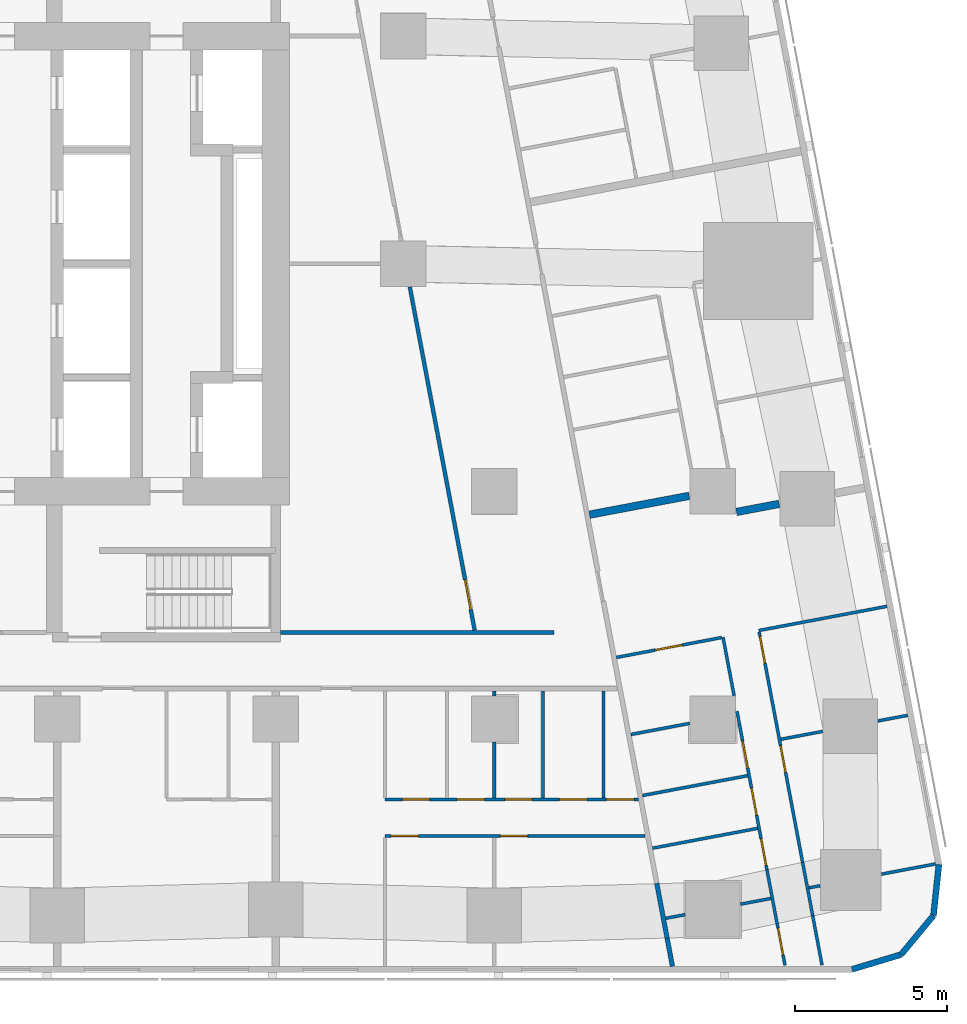
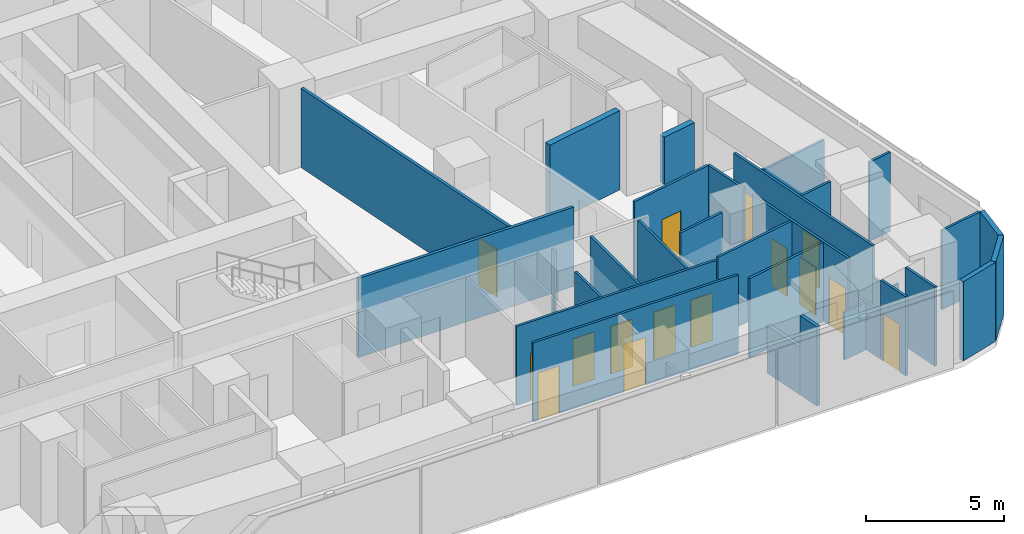
# One storey, part 6 of 15: 33 walls, 15 doors, 15 openings.
"""IFC4 building model written with IfcOpenShell, lengths in metres."""

import ifcopenshell
import ifcopenshell.guid

model = None  # the IFC model being written
_history = None  # IfcOwnerHistory: only IFC2X3 demands one
_inside = {}  # id of a spatial element -> (the spatial element, [elements in it])
_under = {}  # id of a project, library or spatial element -> (it, [spatial elements below it])
_declared = {}  # id of a project -> (the project, [libraries it declares])
_typed = {}  # id of a type object -> (the type object, [elements of that type])
_made_of = {}  # id of a material, layer set ... -> (it, [elements and type objects made of it])


def new_model(schema):
    """Start an empty IFC model of exactly this schema.

    Asked for "IFC4X3", IfcOpenShell would pick the latest addendum, in which some entities
    have other attributes; the version numbers below select the first issue.
    IFC2X3 requires an IfcOwnerHistory on every rooted entity: one is made here for all.
    """
    global model, _history
    if schema == "IFC4X3":
        model = ifcopenshell.file(schema_version=(4, 3, 0, 0))
    else:
        model = ifcopenshell.file(schema=schema)
    _inside.clear()
    _under.clear()
    _declared.clear()
    _typed.clear()
    _made_of.clear()
    _history = None
    if model.schema == "IFC2X3":
        org = make("IfcOrganization", Name="unknown")
        user = make(
            "IfcPersonAndOrganization",
            ThePerson=make("IfcPerson", FamilyName="unknown"),
            TheOrganization=org,
        )
        app = make(
            "IfcApplication",
            ApplicationDeveloper=org,
            Version="unknown",
            ApplicationFullName="unknown",
            ApplicationIdentifier="unknown",
        )
        _history = make(
            "IfcOwnerHistory",
            OwningUser=user,
            OwningApplication=app,
            ChangeAction="ADDED",
            CreationDate=0,
        )
    return model


def make(cls, **values):
    """One entity of the class cls with the attributes given. An attribute that is None is left unset."""
    return model.create_entity(
        cls, **{name: value for name, value in values.items() if value is not None}
    )


def rooted(cls, **values):
    """An entity with a GlobalId (a new one), such as an element, a storey or a relation."""
    return make(cls, GlobalId=ifcopenshell.guid.new(), OwnerHistory=_history, **values)


def si_unit(unit_type, name, prefix=None):
    """IfcSIUnit, for example si_unit("LENGTHUNIT", "METRE", prefix="MILLI")."""
    return make("IfcSIUnit", UnitType=unit_type, Prefix=prefix, Name=name)


def assignment(units):
    """IfcUnitAssignment: the units of a project."""
    return None if units is None else make("IfcUnitAssignment", Units=units)


def point(xyz):
    """IfcCartesianPoint."""
    return None if xyz is None else make("IfcCartesianPoint", Coordinates=xyz)


def direction(xyz):
    """IfcDirection."""
    return None if xyz is None else make("IfcDirection", DirectionRatios=xyz)


def frame(location, z_axis=None, x_axis=None):
    """IfcAxis2Placement3D, a coordinate frame: its origin and axes. An axis left out is left unset."""
    return make(
        "IfcAxis2Placement3D",
        Location=point(location),
        Axis=direction(z_axis),
        RefDirection=direction(x_axis),
    )


def frame_2d(location, x_axis=None):
    """IfcAxis2Placement2D, a coordinate frame in the plane: its origin and x axis."""
    return make(
        "IfcAxis2Placement2D", Location=point(location), RefDirection=direction(x_axis)
    )


def origin():
    """The frame at (0, 0, 0) with its axes left unset."""
    return frame((0.0, 0.0, 0.0))


def place(relative_to, where):
    """IfcLocalPlacement: puts the frame where relative to a parent placement (None: the world)."""
    return make(
        "IfcLocalPlacement", PlacementRelTo=relative_to, RelativePlacement=where
    )


def context(
    kind, dimensions, precision=None, world=None, true_north=None, identifier=None
):
    """IfcGeometricRepresentationContext, for example the 3D "Model" context."""
    return make(
        "IfcGeometricRepresentationContext",
        ContextIdentifier=identifier,
        ContextType=kind,
        CoordinateSpaceDimension=dimensions,
        Precision=precision,
        WorldCoordinateSystem=world,
        TrueNorth=true_north,
    )


def subcontext(parent, identifier, kind, view, scale=None):
    """IfcGeometricRepresentationSubContext, for example "Body" below "Model"."""
    return make(
        "IfcGeometricRepresentationSubContext",
        ContextIdentifier=identifier,
        ContextType=kind,
        ParentContext=parent,
        TargetScale=scale,
        TargetView=view,
    )


def project(units=None, contexts=None):
    """IfcProject with its units and contexts."""
    return rooted(
        "IfcProject",
        Name="project",
        RepresentationContexts=contexts,
        UnitsInContext=assignment(units),
    )


def spatial(cls, under=None, at=None, **own):
    """A site, building, storey or space (cls), placed at a placement, below another one or the project."""
    s = rooted(cls, ObjectPlacement=at, **own)
    if under is not None:
        _under.setdefault(under.id(), (under, []))[1].append(s)
    return s


def profile(cls, at=None, kind="AREA", **sizes):
    """A parametric profile (cls). Its sizes go by their IFC names, for example OverallWidth=200.0."""
    return make(cls, ProfileType=kind, Position=at, **sizes)


def rectangle(**sizes):
    """IfcRectangleProfileDef."""
    return profile("IfcRectangleProfileDef", **sizes)


def extrude(swept, where, along, depth):
    """IfcExtrudedAreaSolid: the profile swept, set in the frame where, extruded along a direction by depth."""
    return make(
        "IfcExtrudedAreaSolid",
        SweptArea=swept,
        Position=where,
        ExtrudedDirection=direction(along),
        Depth=depth,
    )


def shape(context_of_items, identifier, shape_type, items):
    """IfcShapeRepresentation: the items that make up one representation, for example the "Body"."""
    return make(
        "IfcShapeRepresentation",
        ContextOfItems=context_of_items,
        RepresentationIdentifier=identifier,
        RepresentationType=shape_type,
        Items=items,
    )


def material(Name=None, Category=None):
    """IfcMaterial."""
    return make("IfcMaterial", Name=Name, Category=Category)


def layer(
    of_material, thickness, ventilated=None, Name=None, Category=None, Priority=None
):
    """IfcMaterialLayer: one layer of a wall or slab, of a material (None: an air gap)."""
    return make(
        "IfcMaterialLayer",
        Material=of_material,
        LayerThickness=thickness,
        IsVentilated=ventilated,
        Name=Name,
        Category=Category,
        Priority=Priority,
    )


def layer_set(layers, Name=None):
    """IfcMaterialLayerSet."""
    return make("IfcMaterialLayerSet", MaterialLayers=layers, LayerSetName=Name)


def made_of(thing, what):
    """Note that an element or type object is made of a material, layer set ...; save() writes the relation."""
    if what is not None:
        _made_of.setdefault(what.id(), (what, []))[1].append(thing)
    return thing


def type_object(cls, material=None, **own):
    """A type object (cls), such as IfcWallType, which elements share."""
    return made_of(rooted(cls, **own), material)


def element(
    cls,
    number,
    at=None,
    inside=None,
    cuts=None,
    type_object=None,
    material=None,
    context=None,
    identifier="Body",
    shape_type=None,
    held_by="IfcProductDefinitionShape",
    body=None,
    shapes=None,
    **own,
):
    """One element of the class cls, such as IfcWall. Its Tag is "e" and its number.

    at: its placement. inside: the storey or other place that contains it. cuts: it is an
    opening in that element (IfcRelVoidsElement). A single representation is given by context,
    identifier, shape_type and body (its items); several are given by shapes. held_by: the class
    of the entity that holds the representations. save() writes the other relations.
    """
    e = rooted(cls, Tag="e%d" % number, ObjectPlacement=at, **own)
    if body is not None:
        shapes = [shape(context, identifier, shape_type, body)]
    if shapes is not None:
        e.Representation = make(held_by, Representations=shapes)
    if inside is not None:
        _inside.setdefault(inside.id(), (inside, []))[1].append(e)
    if cuts is not None:
        rooted(
            "IfcRelVoidsElement", RelatingBuildingElement=cuts, RelatedOpeningElement=e
        )
    if type_object is not None:
        _typed.setdefault(type_object.id(), (type_object, []))[1].append(e)
    return made_of(e, material)


def fill(opening, filler):
    """IfcRelFillsElement: the door or window that sits in an opening."""
    return rooted(
        "IfcRelFillsElement",
        RelatingOpeningElement=opening,
        RelatedBuildingElement=filler,
    )


def aggregate(whole, parts):
    """IfcRelAggregates: a whole, such as a stair, and the parts it consists of."""
    return rooted("IfcRelAggregates", RelatingObject=whole, RelatedObjects=parts)


def save(model, path):
    """Write the relations noted so far, then the file.

    IfcRelAggregates (storeys below a building ...), IfcRelContainedInSpatialStructure (elements
    in a storey), IfcRelDefinesByType, IfcRelAssociatesMaterial and IfcRelDeclares: one each for
    every whole, place, type object, material and project.
    """
    for whole, parts in _under.values():
        aggregate(whole, parts)
    for where, things in _inside.values():
        rooted(
            "IfcRelContainedInSpatialStructure",
            RelatedElements=things,
            RelatingStructure=where,
        )
    for kind, things in _typed.values():
        rooted("IfcRelDefinesByType", RelatedObjects=things, RelatingType=kind)
    for what, things in _made_of.values():
        rooted("IfcRelAssociatesMaterial", RelatedObjects=things, RelatingMaterial=what)
    for by, libraries in _declared.values():
        rooted("IfcRelDeclares", RelatingContext=by, RelatedDefinitions=libraries)
    model.write(path)


model = new_model("IFC4")

# Units and contexts
model_context = context("Model", 3, precision=1e-05, world=origin(), true_north=direction((0.0, 1.0)))
body_context = subcontext(model_context, "Body", "Model", "MODEL_VIEW")
ifc_project = project(units=[si_unit("LENGTHUNIT", "METRE"), si_unit("AREAUNIT", "SQUARE_METRE"), si_unit("VOLUMEUNIT", "CUBIC_METRE"), si_unit("PLANEANGLEUNIT", "RADIAN"), si_unit("MASSUNIT", "GRAM", prefix="KILO")], contexts=[model_context])

# Site, building, storey
site_placement = place(None, origin())
site = spatial("IfcSite", under=ifc_project, at=site_placement, CompositionType="ELEMENT")
building_placement = place(site_placement, origin())
building = spatial("IfcBuilding", under=site, at=building_placement, Name="Sheger Commons Tower", CompositionType="ELEMENT")
storey_placement = place(building_placement, frame((0.0, 0.0, 180.800048828125)))
storey = spatial("IfcBuildingStorey", under=building, at=storey_placement, Name="L46", CompositionType="ELEMENT", Elevation=180.800048828125)

# Walls
ifc_material_1 = material(Name="Hollow concrete block masonry, skimmed both sides", Category="masonry")
ifc_layer_1 = layer(ifc_material_1, 0.14990234375)
ifc_layer_set_1 = layer_set([ifc_layer_1], Name="CORRIDOR WALL 150")
wall_type_1 = type_object("IfcWallType", Name="CORRIDOR WALL 150", PredefinedType="SOLIDWALL", material=ifc_layer_set_1)
wall_1_placement = place(storey_placement, frame((41.35498046875, 2.0859375, 0.0), z_axis=(0.0, 0.0, 1.0), x_axis=(0.185708872674, -0.982604811005, 0.0)))
element("IfcWall", 1, at=wall_1_placement, inside=storey, type_object=wall_type_1, Name="Corridor wall L46", PredefinedType="SOLIDWALL", context=body_context, shape_type="SweptSolid", body=[
    extrude(rectangle(XDim=1.84716796875, YDim=0.14990234375, at=frame_2d((0.923583984375, 0.0))), origin(), (0.0, 0.0, 1.0), 2.099853515625),
])
wall_2_placement = place(storey_placement, frame((41.697998046875, 0.27099609375, 0.0), z_axis=(0.0, 0.0, 1.0), x_axis=(0.185735329995, -0.982599810295, 0.0)))
element("IfcWall", 2, at=wall_2_placement, inside=storey, type_object=wall_type_1, Name="Corridor wall L46", PredefinedType="SOLIDWALL", context=body_context, shape_type="SweptSolid", body=[
    extrude(rectangle(XDim=0.937255859375, YDim=0.14990234375, at=frame_2d((0.46875, 0.0))), origin(), (0.0, 0.0, 1.0), 3.5),
])
ifc_material_2 = material(Name="Dense concrete block masonry, plastered both sides (separating wall between flats)", Category="masonry")
ifc_layer_2 = layer(ifc_material_2, 0.25)
ifc_layer_set_2 = layer_set([ifc_layer_2], Name="DEMISING WALL 250")
wall_type_2 = type_object("IfcWallType", Name="DEMISING WALL 250", PredefinedType="SOLIDWALL", material=ifc_layer_set_2)
wall_3_placement = place(storey_placement, frame((45.389892578125, 14.587890625, 0.0), z_axis=(0.0, 0.0, 1.0), x_axis=(-0.982680951688, -0.18530555089, 0.0)))
element("IfcWall", 3, at=wall_3_placement, inside=storey, type_object=wall_type_2, Name="Demising wall L46", PredefinedType="SOLIDWALL", context=body_context, shape_type="SweptSolid", body=[
    extrude(rectangle(XDim=1.434814453125, YDim=0.25, at=frame_2d((0.71728515625, 0.0))), origin(), (0.0, 0.0, 1.0), 2.099853515625),
])
wall_4_placement = place(storey_placement, frame((42.426025390625, 14.85302734375, 0.0), z_axis=(0.0, 0.0, 1.0), x_axis=(-0.982633560103, -0.185556693654, 0.0)))
element("IfcWall", 4, at=wall_4_placement, inside=storey, type_object=wall_type_2, Name="Demising wall L46", PredefinedType="SOLIDWALL", context=body_context, shape_type="SweptSolid", body=[
    extrude(rectangle(XDim=3.34716796875, YDim=0.25, at=frame_2d((1.673583984375, 0.0))), origin(), (0.0, 0.0, 1.0), 3.5),
])
ifc_material_3 = material(Name="Rendered concrete block masonry, dark grey", Category="masonry")
ifc_layer_3 = layer(ifc_material_3, 0.199951171875)
ifc_layer_set_3 = layer_set([ifc_layer_3], Name="FACADE WALL 200")
wall_type_3 = type_object("IfcWallType", Name="FACADE WALL 200", PredefinedType="SOLIDWALL", material=ifc_layer_set_3)
wall_5_placement = place(storey_placement, frame((47.791015625, -0.75, 0.0), z_axis=(0.0, 0.0, 1.0), x_axis=(0.957455232626, 0.288581838509, 0.0)))
element("IfcWall", 5, at=wall_5_placement, inside=storey, type_object=wall_type_3, Name="Facade wall L46", PredefinedType="SOLIDWALL", context=body_context, shape_type="SweptSolid", body=[
    extrude(rectangle(XDim=1.687744140625, YDim=0.199951171875, at=frame_2d((0.84375, 0.0))), origin(), (0.0, 0.0, 1.0), 3.5),
])
wall_6_placement = place(storey_placement, frame((49.406982421875, -0.262939453125, 0.0), z_axis=(0.0, 0.0, 1.0), x_axis=(0.638042593423, 0.770001070764, 0.0)))
element("IfcWall", 6, at=wall_6_placement, inside=storey, type_object=wall_type_3, Name="Facade wall L46", PredefinedType="SOLIDWALL", context=body_context, shape_type="SweptSolid", body=[
    extrude(rectangle(XDim=1.672607421875, YDim=0.199951171875, at=frame_2d((0.83642578125, 0.0))), origin(), (0.0, 0.0, 1.0), 3.5),
])
wall_7_placement = place(storey_placement, frame((50.47412109375, 1.02490234375, 0.0), z_axis=(0.0, 0.0, 1.0), x_axis=(0.106047815515, 0.994361031429, 0.0)))
element("IfcWall", 7, at=wall_7_placement, inside=storey, type_object=wall_type_3, Name="Facade wall L46", PredefinedType="SOLIDWALL", context=body_context, shape_type="SweptSolid", body=[
    extrude(rectangle(XDim=1.6875, YDim=0.199951171875, at=frame_2d((0.84375, 0.0))), origin(), (0.0, 0.0, 1.0), 3.5),
])

# Wall, openings, doors
ifc_material_4 = material(Name="Gypsum board on steel studs", Category="steel")
ifc_layer_4 = layer(ifc_material_4, 0.10009765625)
ifc_layer_set_4 = layer_set([ifc_layer_4], Name="PARTITION 100")
wall_type_4 = type_object("IfcWallType", Name="PARTITION 100", PredefinedType="PARTITIONING", material=ifc_layer_set_4)
wall_8_placement = place(storey_placement, frame((40.97412109375, 3.64990234375, 0.0), z_axis=(0.0, 0.0, 1.0), x_axis=(-1.0, 0.0, 0.0)))
wall_8 = element("IfcWall", 8, at=wall_8_placement, inside=storey, type_object=wall_type_4, Name="Partition L46", PredefinedType="PARTITIONING", context=body_context, shape_type="SweptSolid", body=[
    extrude(rectangle(XDim=8.57421875, YDim=0.10009765625, at=frame_2d((4.287109375, 0.0))), origin(), (0.0, 0.0, 1.0), 3.5),
])
opening_1_placement = place(wall_8_placement, frame((7.47412109375, 0.0, 0.0)))
opening_1 = element("IfcOpeningElement", 9, at=opening_1_placement, cuts=wall_8, Name="Opening D2", PredefinedType="OPENING", context=body_context, shape_type="SweptSolid", body=[
    extrude(rectangle(XDim=0.89990234375, YDim=2.10009765625, at=frame_2d((0.449951171875, 1.050048828125))), frame((0.0, 0.06005859375, 0.0), z_axis=(0.0, -1.0, 0.0), x_axis=(1.0, 0.0, 0.0)), (0.0, 0.0, 1.0), 0.1201171875),
])
opening_2_placement = place(wall_8_placement, frame((3.8740234375, 0.0, 0.0)))
opening_2 = element("IfcOpeningElement", 10, at=opening_2_placement, cuts=wall_8, Name="Opening D2", PredefinedType="OPENING", context=body_context, shape_type="SweptSolid", body=[
    extrude(rectangle(XDim=0.89990234375, YDim=2.10009765625, at=frame_2d((0.449951171875, 1.050048828125))), frame((0.0, 0.06005859375, 0.0), z_axis=(0.0, -1.0, 0.0), x_axis=(1.0, 0.0, 0.0)), (0.0, 0.0, 1.0), 0.1201171875),
])
ifc_material_5 = material(Name="Timber door set", Category="wood")
door_type_1 = type_object("IfcDoorType", Name="INTERNAL DOOR 900x2100", OperationType="NOTDEFINED", PredefinedType="DOOR", material=ifc_material_5)
door_1_placement = place(opening_1_placement, origin())
door_1 = element("IfcDoor", 11, at=door_1_placement, inside=storey, type_object=door_type_1, Name="Main bedroom door", OperationType="SINGLE_SWING_RIGHT", OverallHeight=2.10009765625, OverallWidth=0.89990234375, PredefinedType="DOOR", context=body_context, shape_type="SweptSolid", body=[
    extrude(rectangle(XDim=0.89990234375, YDim=2.10009765625, at=frame_2d((0.449951171875, 1.050048828125))), frame((0.0, 0.02490234375, 0.0), z_axis=(0.0, -1.0, 0.0), x_axis=(1.0, 0.0, 0.0)), (0.0, 0.0, 1.0), 0.050048828125),
])
fill(opening_1, door_1)
door_2_placement = place(opening_2_placement, origin())
door_2 = element("IfcDoor", 12, at=door_2_placement, inside=storey, type_object=door_type_1, Name="Bedroom 2 door", OperationType="SINGLE_SWING_RIGHT", OverallHeight=2.10009765625, OverallWidth=0.89990234375, PredefinedType="DOOR", context=body_context, shape_type="SweptSolid", body=[
    extrude(rectangle(XDim=0.89990234375, YDim=2.10009765625, at=frame_2d((0.449951171875, 1.050048828125))), frame((0.0, 0.02490234375, 0.0), z_axis=(0.0, -1.0, 0.0), x_axis=(1.0, 0.0, 0.0)), (0.0, 0.0, 1.0), 0.050048828125),
])
fill(opening_2, door_2)

wall_9_placement = place(storey_placement, frame((40.7470703125, 4.85009765625, 0.0), z_axis=(0.0, 0.0, 1.0), x_axis=(-1.0, 0.0, 0.0)))
wall_9 = element("IfcWall", 13, at=wall_9_placement, inside=storey, type_object=wall_type_4, Name="Partition L46", PredefinedType="PARTITIONING", context=body_context, shape_type="SweptSolid", body=[
    extrude(rectangle(XDim=8.34716796875, YDim=0.10009765625, at=frame_2d((4.173583984375, 0.0))), origin(), (0.0, 0.0, 1.0), 3.5),
])
opening_3_placement = place(wall_9_placement, frame((6.8720703125, 0.0, 0.0)))
opening_3 = element("IfcOpeningElement", 14, at=opening_3_placement, cuts=wall_9, Name="Opening D2", PredefinedType="OPENING", context=body_context, shape_type="SweptSolid", body=[
    extrude(rectangle(XDim=0.89990234375, YDim=2.10009765625, at=frame_2d((0.449951171875, 1.050048828125))), frame((0.0, 0.06005859375, 0.0), z_axis=(0.0, -1.0, 0.0), x_axis=(1.0, 0.0, 0.0)), (0.0, 0.0, 1.0), 0.1201171875),
])
opening_4_placement = place(wall_9_placement, frame((3.4970703125, 0.0, 0.0)))
opening_4 = element("IfcOpeningElement", 15, at=opening_4_placement, cuts=wall_9, Name="Opening D2", PredefinedType="OPENING", context=body_context, shape_type="SweptSolid", body=[
    extrude(rectangle(XDim=0.89990234375, YDim=2.10009765625, at=frame_2d((0.449951171875, 1.050048828125))), frame((0.0, 0.06005859375, 0.0), z_axis=(0.0, -1.0, 0.0), x_axis=(1.0, 0.0, 0.0)), (0.0, 0.0, 1.0), 0.1201171875),
])
opening_5_placement = place(wall_9_placement, frame((0.14990234375, 0.0, 0.0)))
opening_5 = element("IfcOpeningElement", 16, at=opening_5_placement, cuts=wall_9, Name="Opening D2", PredefinedType="OPENING", context=body_context, shape_type="SweptSolid", body=[
    extrude(rectangle(XDim=0.89990234375, YDim=2.10009765625, at=frame_2d((0.449951171875, 1.050048828125))), frame((0.0, 0.06005859375, 0.0), z_axis=(0.0, -1.0, 0.0), x_axis=(1.0, 0.0, 0.0)), (0.0, 0.0, 1.0), 0.1201171875),
])
opening_6_placement = place(wall_9_placement, frame((5.072021484375, 0.0, 0.0)))
opening_6 = element("IfcOpeningElement", 17, at=opening_6_placement, cuts=wall_9, Name="Opening D2", PredefinedType="OPENING", context=body_context, shape_type="SweptSolid", body=[
    extrude(rectangle(XDim=0.89990234375, YDim=2.10009765625, at=frame_2d((0.449951171875, 1.050048828125))), frame((0.0, 0.06005859375, 0.0), z_axis=(0.0, -1.0, 0.0), x_axis=(1.0, 0.0, 0.0)), (0.0, 0.0, 1.0), 0.1201171875),
])
opening_7_placement = place(wall_9_placement, frame((1.697021484375, 0.0, 0.0)))
opening_7 = element("IfcOpeningElement", 18, at=opening_7_placement, cuts=wall_9, Name="Opening D2", PredefinedType="OPENING", context=body_context, shape_type="SweptSolid", body=[
    extrude(rectangle(XDim=0.89990234375, YDim=2.10009765625, at=frame_2d((0.449951171875, 1.050048828125))), frame((0.0, 0.06005859375, 0.0), z_axis=(0.0, -1.0, 0.0), x_axis=(1.0, 0.0, 0.0)), (0.0, 0.0, 1.0), 0.1201171875),
])
door_3_placement = place(opening_3_placement, origin())
door_3 = element("IfcDoor", 19, at=door_3_placement, inside=storey, type_object=door_type_1, Name="Bathroom door", OperationType="SINGLE_SWING_LEFT", OverallHeight=2.10009765625, OverallWidth=0.89990234375, PredefinedType="DOOR", context=body_context, shape_type="SweptSolid", body=[
    extrude(rectangle(XDim=0.89990234375, YDim=2.10009765625, at=frame_2d((0.449951171875, 1.050048828125))), frame((0.0, 0.02490234375, 0.0), z_axis=(0.0, -1.0, 0.0), x_axis=(1.0, 0.0, 0.0)), (0.0, 0.0, 1.0), 0.050048828125),
])
fill(opening_3, door_3)
door_4_placement = place(opening_4_placement, origin())
door_4 = element("IfcDoor", 20, at=door_4_placement, inside=storey, type_object=door_type_1, Name="Shower room door", OperationType="SINGLE_SWING_LEFT", OverallHeight=2.10009765625, OverallWidth=0.89990234375, PredefinedType="DOOR", context=body_context, shape_type="SweptSolid", body=[
    extrude(rectangle(XDim=0.89990234375, YDim=2.10009765625, at=frame_2d((0.449951171875, 1.050048828125))), frame((0.0, 0.02490234375, 0.0), z_axis=(0.0, -1.0, 0.0), x_axis=(1.0, 0.0, 0.0)), (0.0, 0.0, 1.0), 0.050048828125),
])
fill(opening_4, door_4)
door_5_placement = place(opening_5_placement, origin())
door_5 = element("IfcDoor", 21, at=door_5_placement, inside=storey, type_object=door_type_1, Name="Laundry room door", OperationType="SINGLE_SWING_RIGHT", OverallHeight=2.10009765625, OverallWidth=0.89990234375, PredefinedType="DOOR", context=body_context, shape_type="SweptSolid", body=[
    extrude(rectangle(XDim=0.89990234375, YDim=2.10009765625, at=frame_2d((0.449951171875, 1.050048828125))), frame((0.0, 0.02490234375, 0.0), z_axis=(0.0, -1.0, 0.0), x_axis=(1.0, 0.0, 0.0)), (0.0, 0.0, 1.0), 0.050048828125),
])
fill(opening_5, door_5)
door_6_placement = place(opening_6_placement, origin())
door_6 = element("IfcDoor", 22, at=door_6_placement, inside=storey, type_object=door_type_1, Name="Store door", OperationType="SINGLE_SWING_RIGHT", OverallHeight=2.10009765625, OverallWidth=0.89990234375, PredefinedType="DOOR", context=body_context, shape_type="SweptSolid", body=[
    extrude(rectangle(XDim=0.89990234375, YDim=2.10009765625, at=frame_2d((0.449951171875, 1.050048828125))), frame((0.0, 0.02490234375, 0.0), z_axis=(0.0, -1.0, 0.0), x_axis=(1.0, 0.0, 0.0)), (0.0, 0.0, 1.0), 0.050048828125),
])
fill(opening_6, door_6)
door_7_placement = place(opening_7_placement, origin())
door_7 = element("IfcDoor", 23, at=door_7_placement, inside=storey, type_object=door_type_1, Name="Store door", OperationType="SINGLE_SWING_RIGHT", OverallHeight=2.10009765625, OverallWidth=0.89990234375, PredefinedType="DOOR", context=body_context, shape_type="SweptSolid", body=[
    extrude(rectangle(XDim=0.89990234375, YDim=2.10009765625, at=frame_2d((0.449951171875, 1.050048828125))), frame((0.0, 0.02490234375, 0.0), z_axis=(0.0, -1.0, 0.0), x_axis=(1.0, 0.0, 0.0)), (0.0, 0.0, 1.0), 0.050048828125),
])
fill(opening_7, door_7)

# Walls
wall_10_placement = place(storey_placement, frame((36.0, 4.89990234375, 0.0), z_axis=(0.0, 0.0, 1.0), x_axis=(0.0, 1.0, 0.0)))
element("IfcWall", 24, at=wall_10_placement, inside=storey, type_object=wall_type_4, Name="Partition L46", PredefinedType="PARTITIONING", context=body_context, shape_type="SweptSolid", body=[
    extrude(rectangle(XDim=1.84912109375, YDim=0.10009765625, at=frame_2d((0.924560546875, 0.0))), origin(), (0.0, 0.0, 1.0), 3.5),
])
wall_11_placement = place(storey_placement, frame((36.0, 8.2509765625, 0.0), z_axis=(0.0, 0.0, 1.0), x_axis=(0.0, 1.0, 0.0)))
element("IfcWall", 25, at=wall_11_placement, inside=storey, type_object=wall_type_4, Name="Partition L46", PredefinedType="PARTITIONING", context=body_context, shape_type="SweptSolid", body=[
    extrude(rectangle(XDim=0.174072265625, YDim=0.10009765625, at=frame_2d((0.0869140625, 0.0))), origin(), (0.0, 0.0, 1.0), 3.5),
])
for number, where, z_axis, x_axis, name in (
    (26, (39.60009765625, 4.89990234375, 0.0), (0.0, 0.0, 1.0), (0.0, 1.0, 0.0), "Partition L46"),
    (27, (37.60009765625, 4.89990234375, 0.0), (0.0, 0.0, 1.0), (0.0, 1.0, 0.0), "Partition L46"),
):
    element("IfcWall", number, at=place(storey_placement, frame(where, z_axis=z_axis, x_axis=x_axis)), inside=storey, type_object=wall_type_4, Name=name, PredefinedType="PARTITIONING", context=body_context, shape_type="SweptSolid", body=[
        extrude(rectangle(XDim=3.525146484375, YDim=0.10009765625, at=frame_2d((1.7626953125, 0.0))), origin(), (0.0, 0.0, 1.0), 3.5),
    ])

# Wall, openings, doors
wall_12_placement = place(storey_placement, frame((44.72705078125, 10.365966796875, 0.0), z_axis=(0.0, 0.0, 1.0), x_axis=(0.185578957652, -0.982629355595, 0.0)))
wall_12 = element("IfcWall", 28, at=wall_12_placement, inside=storey, type_object=wall_type_4, Name="Partition L46", PredefinedType="PARTITIONING", context=body_context, shape_type="SweptSolid", body=[
    extrude(rectangle(XDim=7.720947265625, YDim=0.10009765625, at=frame_2d((3.8603515625, 0.0))), origin(), (0.0, 0.0, 1.0), 3.5),
])
opening_8_placement = place(wall_12_placement, frame((0.15087890625, 0.0, 0.0)))
opening_8 = element("IfcOpeningElement", 29, at=opening_8_placement, cuts=wall_12, Name="Opening D2", PredefinedType="OPENING", context=body_context, shape_type="SweptSolid", body=[
    extrude(rectangle(XDim=0.89990234375, YDim=2.10009765625, at=frame_2d((0.449951171875, 1.050048828125))), frame((0.0, 0.06005859375, 0.0), z_axis=(0.0, -1.0, 0.0), x_axis=(1.0, 0.0, 0.0)), (0.0, 0.0, 1.0), 0.1201171875),
])
opening_9_placement = place(wall_12_placement, frame((3.805908203125, 0.0, 0.0)))
opening_9 = element("IfcOpeningElement", 30, at=opening_9_placement, cuts=wall_12, Name="Opening D2", PredefinedType="OPENING", context=body_context, shape_type="SweptSolid", body=[
    extrude(rectangle(XDim=0.89990234375, YDim=2.10009765625, at=frame_2d((0.449951171875, 1.050048828125))), frame((0.0, 0.06005859375, 0.0), z_axis=(0.0, -1.0, 0.0), x_axis=(1.0, 0.0, 0.0)), (0.0, 0.0, 1.0), 0.1201171875),
])
door_8_placement = place(opening_8_placement, origin())
door_8 = element("IfcDoor", 31, at=door_8_placement, inside=storey, type_object=door_type_1, Name="Main bedroom door", OperationType="SINGLE_SWING_LEFT", OverallHeight=2.10009765625, OverallWidth=0.89990234375, PredefinedType="DOOR", context=body_context, shape_type="SweptSolid", body=[
    extrude(rectangle(XDim=0.89990234375, YDim=2.10009765625, at=frame_2d((0.449951171875, 1.050048828125))), frame((0.0, 0.02490234375, 0.0), z_axis=(0.0, -1.0, 0.0), x_axis=(1.0, 0.0, 0.0)), (0.0, 0.0, 1.0), 0.050048828125),
])
fill(opening_8, door_8)
door_9_placement = place(opening_9_placement, origin())
door_9 = element("IfcDoor", 32, at=door_9_placement, inside=storey, type_object=door_type_1, Name="Bedroom 2 door", OperationType="SINGLE_SWING_LEFT", OverallHeight=2.10009765625, OverallWidth=0.89990234375, PredefinedType="DOOR", context=body_context, shape_type="SweptSolid", body=[
    extrude(rectangle(XDim=0.89990234375, YDim=2.10009765625, at=frame_2d((0.449951171875, 1.050048828125))), frame((0.0, 0.02490234375, 0.0), z_axis=(0.0, -1.0, 0.0), x_axis=(1.0, 0.0, 0.0)), (0.0, 0.0, 1.0), 0.050048828125),
])
fill(opening_9, door_9)

# Walls
wall_13_placement = place(storey_placement, frame((46.159912109375, 2.779052734375, 0.0), z_axis=(0.0, 0.0, 1.0), x_axis=(0.18597295662, -0.982554863306, 0.0)))
element("IfcWall", 33, at=wall_13_placement, inside=storey, type_object=wall_type_4, Name="Partition L46", PredefinedType="PARTITIONING", context=body_context, shape_type="SweptSolid", body=[
    extrude(rectangle(XDim=1.802490234375, YDim=0.10009765625, at=frame_2d((0.9013671875, 0.0))), origin(), (0.0, 0.0, 1.0), 2.099853515625),
])
wall_14_placement = place(storey_placement, frame((46.4951171875, 1.008056640625, 0.0), z_axis=(0.0, 0.0, 1.0), x_axis=(0.185535059532, -0.982637645159, 0.0)))
element("IfcWall", 34, at=wall_14_placement, inside=storey, type_object=wall_type_4, Name="Partition L46", PredefinedType="PARTITIONING", context=body_context, shape_type="SweptSolid", body=[
    extrude(rectangle(XDim=1.6435546875, YDim=0.10009765625, at=frame_2d((0.82177734375, 0.0))), origin(), (0.0, 0.0, 1.0), 3.5),
])
wall_15_placement = place(storey_placement, frame((43.5390625, 10.19189453125, 0.0), z_axis=(0.0, 0.0, 1.0), x_axis=(0.18564540894, -0.982616803306, 0.0)))
element("IfcWall", 35, at=wall_15_placement, inside=storey, type_object=wall_type_4, Name="Partition L46", PredefinedType="PARTITIONING", context=body_context, shape_type="SweptSolid", body=[
    extrude(rectangle(XDim=1.966064453125, YDim=0.10009765625, at=frame_2d((0.98291015625, 0.0))), origin(), (0.0, 0.0, 1.0), 3.5),
])

# Wall, openings, doors
wall_16_placement = place(storey_placement, frame((43.9990234375, 7.7548828125, 0.0), z_axis=(0.0, 0.0, 1.0), x_axis=(0.185565904578, -0.982631820703, 0.0)))
wall_16 = element("IfcWall", 36, at=wall_16_placement, inside=storey, type_object=wall_type_4, Name="Partition L46", PredefinedType="PARTITIONING", context=body_context, shape_type="SweptSolid", body=[
    extrude(rectangle(XDim=5.319091796875, YDim=0.10009765625, at=frame_2d((2.65966796875, 0.0))), origin(), (0.0, 0.0, 1.0), 3.5),
])
opening_10_placement = place(wall_16_placement, frame((1.0, 0.0, 0.0)))
opening_10 = element("IfcOpeningElement", 37, at=opening_10_placement, cuts=wall_16, Name="Opening D2", PredefinedType="OPENING", context=body_context, shape_type="SweptSolid", body=[
    extrude(rectangle(XDim=0.89990234375, YDim=2.10009765625, at=frame_2d((0.449951171875, 1.050048828125))), frame((0.0, 0.06005859375, 0.0), z_axis=(0.0, -1.0, 0.0), x_axis=(1.0, 0.0, 0.0)), (0.0, 0.0, 1.0), 0.1201171875),
])
opening_11_placement = place(wall_16_placement, frame((4.26904296875, 0.0, 0.0)))
opening_11 = element("IfcOpeningElement", 38, at=opening_11_placement, cuts=wall_16, Name="Opening D2", PredefinedType="OPENING", context=body_context, shape_type="SweptSolid", body=[
    extrude(rectangle(XDim=0.89990234375, YDim=2.10009765625, at=frame_2d((0.449951171875, 1.050048828125))), frame((0.0, 0.06005859375, 0.0), z_axis=(0.0, -1.0, 0.0), x_axis=(1.0, 0.0, 0.0)), (0.0, 0.0, 1.0), 0.1201171875),
])
opening_12_placement = place(wall_16_placement, frame((2.5849609375, 0.0, 0.0)))
opening_12 = element("IfcOpeningElement", 39, at=opening_12_placement, cuts=wall_16, Name="Opening D2", PredefinedType="OPENING", context=body_context, shape_type="SweptSolid", body=[
    extrude(rectangle(XDim=0.89990234375, YDim=2.10009765625, at=frame_2d((0.449951171875, 1.050048828125))), frame((0.0, 0.06005859375, 0.0), z_axis=(0.0, -1.0, 0.0), x_axis=(1.0, 0.0, 0.0)), (0.0, 0.0, 1.0), 0.1201171875),
])
door_10_placement = place(opening_10_placement, origin())
door_10 = element("IfcDoor", 40, at=door_10_placement, inside=storey, type_object=door_type_1, Name="Bathroom door", OperationType="SINGLE_SWING_LEFT", OverallHeight=2.10009765625, OverallWidth=0.89990234375, PredefinedType="DOOR", context=body_context, shape_type="SweptSolid", body=[
    extrude(rectangle(XDim=0.89990234375, YDim=2.10009765625, at=frame_2d((0.449951171875, 1.050048828125))), frame((0.0, 0.02490234375, 0.0), z_axis=(0.0, -1.0, 0.0), x_axis=(1.0, 0.0, 0.0)), (0.0, 0.0, 1.0), 0.050048828125),
])
fill(opening_10, door_10)
door_11_placement = place(opening_11_placement, origin())
door_11 = element("IfcDoor", 41, at=door_11_placement, inside=storey, type_object=door_type_1, Name="Laundry room door", OperationType="SINGLE_SWING_LEFT", OverallHeight=2.10009765625, OverallWidth=0.89990234375, PredefinedType="DOOR", context=body_context, shape_type="SweptSolid", body=[
    extrude(rectangle(XDim=0.89990234375, YDim=2.10009765625, at=frame_2d((0.449951171875, 1.050048828125))), frame((0.0, 0.02490234375, 0.0), z_axis=(0.0, -1.0, 0.0), x_axis=(1.0, 0.0, 0.0)), (0.0, 0.0, 1.0), 0.050048828125),
])
fill(opening_11, door_11)
door_12_placement = place(opening_12_placement, origin())
door_12 = element("IfcDoor", 42, at=door_12_placement, inside=storey, type_object=door_type_1, Name="Store door", OperationType="SINGLE_SWING_RIGHT", OverallHeight=2.10009765625, OverallWidth=0.89990234375, PredefinedType="DOOR", context=body_context, shape_type="SweptSolid", body=[
    extrude(rectangle(XDim=0.89990234375, YDim=2.10009765625, at=frame_2d((0.449951171875, 1.050048828125))), frame((0.0, 0.02490234375, 0.0), z_axis=(0.0, -1.0, 0.0), x_axis=(1.0, 0.0, 0.0)), (0.0, 0.0, 1.0), 0.050048828125),
])
fill(opening_12, door_12)

# Wall
wall_17_placement = place(storey_placement, frame((44.986083984375, 2.528076171875, 0.0), z_axis=(0.0, 0.0, 1.0), x_axis=(0.18584218627, -0.982579605835, 0.0)))
element("IfcWall", 43, at=wall_17_placement, inside=storey, type_object=wall_type_4, Name="Partition L46", PredefinedType="PARTITIONING", context=body_context, shape_type="SweptSolid", body=[
    extrude(rectangle(XDim=1.802490234375, YDim=0.10009765625, at=frame_2d((0.9013671875, 0.0))), origin(), (0.0, 0.0, 1.0), 2.099853515625),
])

# Wall, opening, door
wall_18_placement = place(storey_placement, frame((45.321044921875, 0.757080078125, 0.0), z_axis=(0.0, 0.0, 1.0), x_axis=(0.185640562635, -0.982617718904, 0.0)))
wall_18 = element("IfcWall", 44, at=wall_18_placement, inside=storey, type_object=wall_type_4, Name="Partition L46", PredefinedType="PARTITIONING", context=body_context, shape_type="SweptSolid", body=[
    extrude(rectangle(XDim=1.395263671875, YDim=0.10009765625, at=frame_2d((0.69775390625, 0.0))), origin(), (0.0, 0.0, 1.0), 3.5),
])
opening_13_placement = place(wall_18_placement, frame((0.14990234375, 0.0, 0.0)))
opening_13 = element("IfcOpeningElement", 45, at=opening_13_placement, cuts=wall_18, Name="Opening D2", PredefinedType="OPENING", context=body_context, shape_type="SweptSolid", body=[
    extrude(rectangle(XDim=0.89990234375, YDim=2.10009765625, at=frame_2d((0.449951171875, 1.050048828125))), frame((0.0, 0.06005859375, 0.0), z_axis=(0.0, -1.0, 0.0), x_axis=(1.0, 0.0, 0.0)), (0.0, 0.0, 1.0), 0.1201171875),
])
door_13_placement = place(opening_13_placement, origin())
door_13 = element("IfcDoor", 46, at=door_13_placement, inside=storey, type_object=door_type_1, Name="Laundry room door", OperationType="SINGLE_SWING_RIGHT", OverallHeight=2.10009765625, OverallWidth=0.89990234375, PredefinedType="DOOR", context=body_context, shape_type="SweptSolid", body=[
    extrude(rectangle(XDim=0.89990234375, YDim=2.10009765625, at=frame_2d((0.449951171875, 1.050048828125))), frame((0.0, 0.02490234375, 0.0), z_axis=(0.0, -1.0, 0.0), x_axis=(1.0, 0.0, 0.0)), (0.0, 0.0, 1.0), 0.050048828125),
])
fill(opening_13, door_13)

# Walls
wall_19_placement = place(storey_placement, frame((48.943115234375, 11.212890625, 0.0), z_axis=(0.0, 0.0, 1.0), x_axis=(-0.982633535512, -0.185556823879, 0.0)))
element("IfcWall", 47, at=wall_19_placement, inside=storey, type_object=wall_type_4, Name="Partition L46", PredefinedType="PARTITIONING", context=body_context, shape_type="SweptSolid", body=[
    extrude(rectangle(XDim=4.2998046875, YDim=0.10009765625, at=frame_2d((2.14990234375, 0.0))), origin(), (0.0, 0.0, 1.0), 2.099853515625),
])
wall_20_placement = place(storey_placement, frame((49.6220703125, 7.6201171875, 0.0), z_axis=(0.0, 0.0, 1.0), x_axis=(-0.982708646087, -0.185158626332, 0.0)))
element("IfcWall", 48, at=wall_20_placement, inside=storey, type_object=wall_type_4, Name="Partition L46", PredefinedType="PARTITIONING", context=body_context, shape_type="SweptSolid", body=[
    extrude(rectangle(XDim=0.99951171875, YDim=0.10009765625, at=frame_2d((0.499755859375, 0.0))), origin(), (0.0, 0.0, 1.0), 3.5),
])
wall_21_placement = place(storey_placement, frame((46.820068359375, 7.091064453125, 0.0), z_axis=(0.0, 0.0, 1.0), x_axis=(-0.982689853246, -0.185258339427, 0.0)))
element("IfcWall", 49, at=wall_21_placement, inside=storey, type_object=wall_type_4, Name="Partition L46", PredefinedType="PARTITIONING", context=body_context, shape_type="SweptSolid", body=[
    extrude(rectangle(XDim=1.398193359375, YDim=0.10009765625, at=frame_2d((0.69921875, 0.0))), origin(), (0.0, 0.0, 1.0), 3.5),
])
wall_22_placement = place(storey_placement, frame((50.547119140625, 2.72607421875, 0.0), z_axis=(0.0, 0.0, 1.0), x_axis=(-0.982603988143, -0.185713226471, 0.0)))
element("IfcWall", 50, at=wall_22_placement, inside=storey, type_object=wall_type_4, Name="Partition L46", PredefinedType="PARTITIONING", context=body_context, shape_type="SweptSolid", body=[
    extrude(rectangle(XDim=1.82080078125, YDim=0.10009765625, at=frame_2d((0.910400390625, 0.0))), origin(), (0.0, 0.0, 1.0), 3.5),
])
wall_23_placement = place(storey_placement, frame((46.738037109375, 2.006103515625, 0.0), z_axis=(0.0, 0.0, 1.0), x_axis=(-0.982820466874, -0.184564161994, 0.0)))
element("IfcWall", 51, at=wall_23_placement, inside=storey, type_object=wall_type_4, Name="Partition L46", PredefinedType="PARTITIONING", context=body_context, shape_type="SweptSolid", body=[
    extrude(rectangle(XDim=0.374267578125, YDim=0.10009765625, at=frame_2d((0.18701171875, 0.0))), origin(), (0.0, 0.0, 1.0), 2.099853515625),
])

# Wall, opening, door
wall_24_placement = place(storey_placement, frame((43.489990234375, 10.18310546875, 0.0), z_axis=(0.0, 0.0, 1.0), x_axis=(-0.982588017646, -0.185797706064, 0.0)))
wall_24 = element("IfcWall", 52, at=wall_24_placement, inside=storey, type_object=wall_type_4, Name="Partition L46", PredefinedType="PARTITIONING", context=body_context, shape_type="SweptSolid", body=[
    extrude(rectangle(XDim=3.525390625, YDim=0.10009765625, at=frame_2d((1.7626953125, 0.0))), origin(), (0.0, 0.0, 1.0), 3.5),
])
opening_14_placement = place(wall_24_placement, frame((1.324951171875, 0.0, 0.0)))
opening_14 = element("IfcOpeningElement", 53, at=opening_14_placement, cuts=wall_24, Name="Opening D2", PredefinedType="OPENING", context=body_context, shape_type="SweptSolid", body=[
    extrude(rectangle(XDim=0.89990234375, YDim=2.10009765625, at=frame_2d((0.449951171875, 1.050048828125))), frame((0.0, 0.06005859375, 0.0), z_axis=(0.0, -1.0, 0.0), x_axis=(1.0, 0.0, 0.0)), (0.0, 0.0, 1.0), 0.1201171875),
])
door_14_placement = place(opening_14_placement, origin())
door_14 = element("IfcDoor", 54, at=door_14_placement, inside=storey, type_object=door_type_1, Name="Store door", OperationType="SINGLE_SWING_RIGHT", OverallHeight=2.10009765625, OverallWidth=0.89990234375, PredefinedType="DOOR", context=body_context, shape_type="SweptSolid", body=[
    extrude(rectangle(XDim=0.89990234375, YDim=2.10009765625, at=frame_2d((0.449951171875, 1.050048828125))), frame((0.0, 0.02490234375, 0.0), z_axis=(0.0, -1.0, 0.0), x_axis=(1.0, 0.0, 0.0)), (0.0, 0.0, 1.0), 0.050048828125),
])
fill(opening_14, door_14)

# Walls
wall_25_placement = place(storey_placement, frame((42.43994140625, 7.35693359375, 0.0), z_axis=(0.0, 0.0, 1.0), x_axis=(-0.982581871375, -0.185830207569, 0.0)))
element("IfcWall", 55, at=wall_25_placement, inside=storey, type_object=wall_type_4, Name="Partition L46", PredefinedType="PARTITIONING", context=body_context, shape_type="SweptSolid", body=[
    extrude(rectangle(XDim=1.969482421875, YDim=0.10009765625, at=frame_2d((0.98486328125, 0.0))), origin(), (0.0, 0.0, 1.0), 3.5),
])
wall_26_placement = place(storey_placement, frame((45.114013671875, 1.5869140625, 0.0), z_axis=(0.0, 0.0, 1.0), x_axis=(-0.982567886437, -0.185904138047, 0.0)))
element("IfcWall", 56, at=wall_26_placement, inside=storey, type_object=wall_type_4, Name="Partition L46", PredefinedType="PARTITIONING", context=body_context, shape_type="SweptSolid", body=[
    extrude(rectangle(XDim=1.021728515625, YDim=0.10009765625, at=frame_2d((0.5107421875, 0.0))), origin(), (0.0, 0.0, 1.0), 2.099853515625),
])
wall_27_placement = place(storey_placement, frame((42.2900390625, 1.052978515625, 0.0), z_axis=(0.0, 0.0, 1.0), x_axis=(-0.982573945355, -0.185872111707, 0.0)))
element("IfcWall", 57, at=wall_27_placement, inside=storey, type_object=wall_type_4, Name="Partition L46", PredefinedType="PARTITIONING", context=body_context, shape_type="SweptSolid", body=[
    extrude(rectangle(XDim=0.651611328125, YDim=0.10009765625, at=frame_2d((0.32568359375, 0.0))), origin(), (0.0, 0.0, 1.0), 2.099853515625),
])
for number, where, z_axis, x_axis, name in (
    (58, (44.677001953125, 3.89599609375, 0.0), (0.0, 0.0, 1.0), (-0.982638553676, -0.185530247748, 0.0), "Partition L46"),
    (59, (44.35009765625, 5.631103515625, 0.0), (0.0, 0.0, 1.0), (-0.982638553676, -0.185530247748, 0.0), "Partition L46"),
):
    element("IfcWall", number, at=place(storey_placement, frame(where, z_axis=z_axis, x_axis=x_axis)), inside=storey, type_object=wall_type_4, Name=name, PredefinedType="PARTITIONING", context=body_context, shape_type="SweptSolid", body=[
        extrude(rectangle(XDim=3.525390625, YDim=0.10009765625, at=frame_2d((1.7626953125, 0.0))), origin(), (0.0, 0.0, 1.0), 3.5),
    ])
ifc_material_6 = material(Name="Gypsum board on steel studs, two layers each side, fire rated", Category="steel")
ifc_layer_5 = layer(ifc_material_6, 0.125)
ifc_layer_set_5 = layer_set([ifc_layer_5], Name="SERVICE WALL 125")
wall_type_5 = type_object("IfcWallType", Name="SERVICE WALL 125", PredefinedType="PARTITIONING", material=ifc_layer_set_5)
wall_28_placement = place(storey_placement, frame((28.949951171875, 10.35009765625, 0.0), z_axis=(0.0, 0.0, 1.0), x_axis=(1.0, 0.0, 0.0)))
element("IfcWall", 60, at=wall_28_placement, inside=storey, type_object=wall_type_5, Name="Service room wall L46", PredefinedType="PARTITIONING", context=body_context, shape_type="SweptSolid", body=[
    extrude(rectangle(XDim=9.012939453125, YDim=0.125, at=frame_2d((4.50634765625, 0.0))), origin(), (0.0, 0.0, 1.0), 3.5),
])

# Wall, opening, door
wall_29_placement = place(storey_placement, frame((35.35400390625, 10.424072265625, 0.0), z_axis=(0.0, 0.0, 1.0), x_axis=(-0.185612234763, 0.982623070311, 0.0)))
wall_29 = element("IfcWall", 61, at=wall_29_placement, inside=storey, type_object=wall_type_5, Name="Service room wall L46", PredefinedType="PARTITIONING", context=body_context, shape_type="SweptSolid", body=[
    extrude(rectangle(XDim=11.512939453125, YDim=0.125, at=frame_2d((5.75634765625, 0.0))), origin(), (0.0, 0.0, 1.0), 3.5),
])
opening_15_placement = place(wall_29_placement, frame((0.697021484375, 0.0, 0.0)))
opening_15 = element("IfcOpeningElement", 62, at=opening_15_placement, cuts=wall_29, Name="Opening D4", PredefinedType="OPENING", context=body_context, shape_type="SweptSolid", body=[
    extrude(rectangle(XDim=1.0, YDim=2.10009765625, at=frame_2d((0.5, 1.050048828125))), frame((0.0, 0.072509765625, 0.0), z_axis=(0.0, -1.0, 0.0), x_axis=(1.0, 0.0, 0.0)), (0.0, 0.0, 1.0), 0.14501953125),
])
ifc_material_7 = material(Name="Steel door set, fire rated", Category="steel")
door_type_2 = type_object("IfcDoorType", Name="SERVICE DOOR 1000x2100", OperationType="NOTDEFINED", PredefinedType="DOOR", material=ifc_material_7)
door_15_placement = place(opening_15_placement, origin())
door_15 = element("IfcDoor", 63, at=door_15_placement, inside=storey, type_object=door_type_2, Name="Children's play room door", OperationType="SINGLE_SWING_LEFT", OverallHeight=2.10009765625, OverallWidth=1.0, PredefinedType="DOOR", context=body_context, shape_type="SweptSolid", body=[
    extrude(rectangle(XDim=1.0, YDim=2.10009765625, at=frame_2d((0.5, 1.050048828125))), frame((0.0, 0.02490234375, 0.0), z_axis=(0.0, -1.0, 0.0), x_axis=(1.0, 0.0, 0.0)), (0.0, 0.0, 1.0), 0.050048828125),
])
fill(opening_15, door_15)

save(model, "model.ifc")
